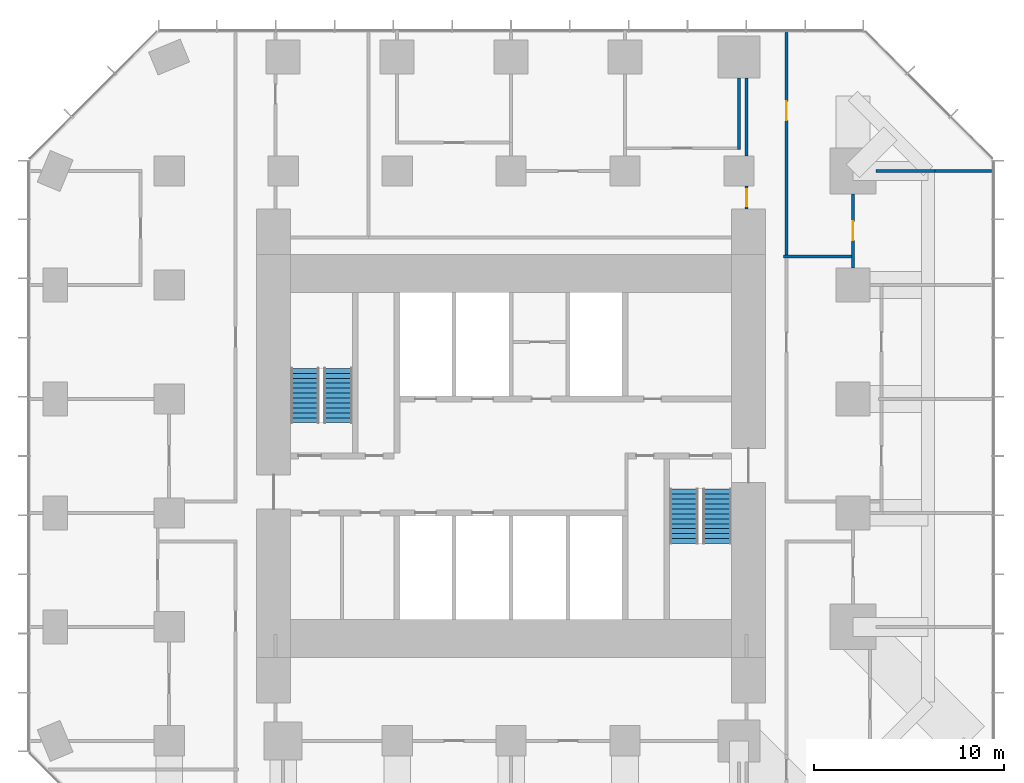
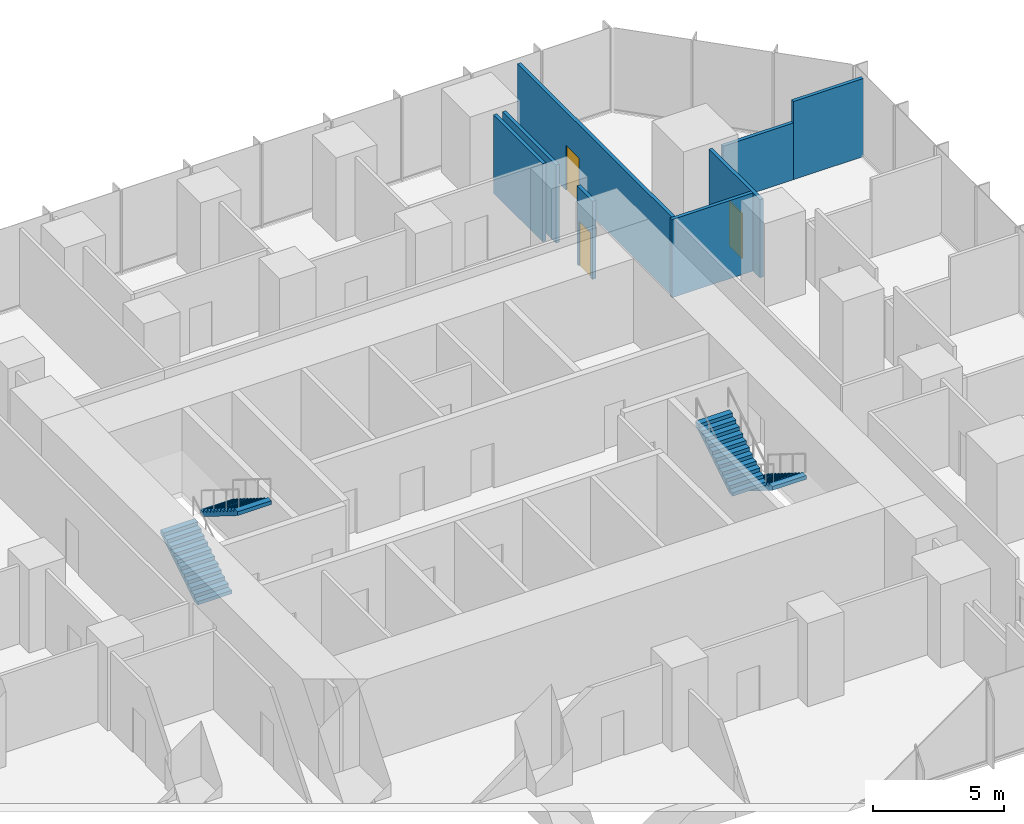
# One storey, part 11 of 12: 8 walls, 4 stair flights, 3 doors, 3 openings, 2 elements without a shape of their own.
"""IFC4 building model written with IfcOpenShell, lengths in metres."""

import ifcopenshell
import ifcopenshell.guid

model = None  # the IFC model being written
_history = None  # IfcOwnerHistory: only IFC2X3 demands one
_inside = {}  # id of a spatial element -> (the spatial element, [elements in it])
_under = {}  # id of a project, library or spatial element -> (it, [spatial elements below it])
_declared = {}  # id of a project -> (the project, [libraries it declares])
_typed = {}  # id of a type object -> (the type object, [elements of that type])
_made_of = {}  # id of a material, layer set ... -> (it, [elements and type objects made of it])


def new_model(schema):
    """Start an empty IFC model of exactly this schema.

    Asked for "IFC4X3", IfcOpenShell would pick the latest addendum, in which some entities
    have other attributes; the version numbers below select the first issue.
    IFC2X3 requires an IfcOwnerHistory on every rooted entity: one is made here for all.
    """
    global model, _history
    if schema == "IFC4X3":
        model = ifcopenshell.file(schema_version=(4, 3, 0, 0))
    else:
        model = ifcopenshell.file(schema=schema)
    _inside.clear()
    _under.clear()
    _declared.clear()
    _typed.clear()
    _made_of.clear()
    _history = None
    if model.schema == "IFC2X3":
        org = make("IfcOrganization", Name="unknown")
        user = make(
            "IfcPersonAndOrganization",
            ThePerson=make("IfcPerson", FamilyName="unknown"),
            TheOrganization=org,
        )
        app = make(
            "IfcApplication",
            ApplicationDeveloper=org,
            Version="unknown",
            ApplicationFullName="unknown",
            ApplicationIdentifier="unknown",
        )
        _history = make(
            "IfcOwnerHistory",
            OwningUser=user,
            OwningApplication=app,
            ChangeAction="ADDED",
            CreationDate=0,
        )
    return model


def make(cls, **values):
    """One entity of the class cls with the attributes given. An attribute that is None is left unset."""
    return model.create_entity(
        cls, **{name: value for name, value in values.items() if value is not None}
    )


def rooted(cls, **values):
    """An entity with a GlobalId (a new one), such as an element, a storey or a relation."""
    return make(cls, GlobalId=ifcopenshell.guid.new(), OwnerHistory=_history, **values)


def si_unit(unit_type, name, prefix=None):
    """IfcSIUnit, for example si_unit("LENGTHUNIT", "METRE", prefix="MILLI")."""
    return make("IfcSIUnit", UnitType=unit_type, Prefix=prefix, Name=name)


def assignment(units):
    """IfcUnitAssignment: the units of a project."""
    return None if units is None else make("IfcUnitAssignment", Units=units)


def point(xyz):
    """IfcCartesianPoint."""
    return None if xyz is None else make("IfcCartesianPoint", Coordinates=xyz)


def direction(xyz):
    """IfcDirection."""
    return None if xyz is None else make("IfcDirection", DirectionRatios=xyz)


def frame(location, z_axis=None, x_axis=None):
    """IfcAxis2Placement3D, a coordinate frame: its origin and axes. An axis left out is left unset."""
    return make(
        "IfcAxis2Placement3D",
        Location=point(location),
        Axis=direction(z_axis),
        RefDirection=direction(x_axis),
    )


def frame_2d(location, x_axis=None):
    """IfcAxis2Placement2D, a coordinate frame in the plane: its origin and x axis."""
    return make(
        "IfcAxis2Placement2D", Location=point(location), RefDirection=direction(x_axis)
    )


def origin():
    """The frame at (0, 0, 0) with its axes left unset."""
    return frame((0.0, 0.0, 0.0))


def place(relative_to, where):
    """IfcLocalPlacement: puts the frame where relative to a parent placement (None: the world)."""
    return make(
        "IfcLocalPlacement", PlacementRelTo=relative_to, RelativePlacement=where
    )


def context(
    kind, dimensions, precision=None, world=None, true_north=None, identifier=None
):
    """IfcGeometricRepresentationContext, for example the 3D "Model" context."""
    return make(
        "IfcGeometricRepresentationContext",
        ContextIdentifier=identifier,
        ContextType=kind,
        CoordinateSpaceDimension=dimensions,
        Precision=precision,
        WorldCoordinateSystem=world,
        TrueNorth=true_north,
    )


def subcontext(parent, identifier, kind, view, scale=None):
    """IfcGeometricRepresentationSubContext, for example "Body" below "Model"."""
    return make(
        "IfcGeometricRepresentationSubContext",
        ContextIdentifier=identifier,
        ContextType=kind,
        ParentContext=parent,
        TargetScale=scale,
        TargetView=view,
    )


def project(units=None, contexts=None):
    """IfcProject with its units and contexts."""
    return rooted(
        "IfcProject",
        Name="project",
        RepresentationContexts=contexts,
        UnitsInContext=assignment(units),
    )


def spatial(cls, under=None, at=None, **own):
    """A site, building, storey or space (cls), placed at a placement, below another one or the project."""
    s = rooted(cls, ObjectPlacement=at, **own)
    if under is not None:
        _under.setdefault(under.id(), (under, []))[1].append(s)
    return s


def polyline(points):
    """IfcPolyline through the points."""
    return make("IfcPolyline", Points=[point(p) for p in points])


def profile(cls, at=None, kind="AREA", **sizes):
    """A parametric profile (cls). Its sizes go by their IFC names, for example OverallWidth=200.0."""
    return make(cls, ProfileType=kind, Position=at, **sizes)


def rectangle(**sizes):
    """IfcRectangleProfileDef."""
    return profile("IfcRectangleProfileDef", **sizes)


def outline(outer, holes=None, kind="AREA"):
    """IfcArbitraryClosedProfileDef: a profile drawn as a closed curve; with holes, ...WithVoids."""
    if holes is None:
        return make("IfcArbitraryClosedProfileDef", ProfileType=kind, OuterCurve=outer)
    return make(
        "IfcArbitraryProfileDefWithVoids",
        ProfileType=kind,
        OuterCurve=outer,
        InnerCurves=holes,
    )


def extrude(swept, where, along, depth):
    """IfcExtrudedAreaSolid: the profile swept, set in the frame where, extruded along a direction by depth."""
    return make(
        "IfcExtrudedAreaSolid",
        SweptArea=swept,
        Position=where,
        ExtrudedDirection=direction(along),
        Depth=depth,
    )


def shape(context_of_items, identifier, shape_type, items):
    """IfcShapeRepresentation: the items that make up one representation, for example the "Body"."""
    return make(
        "IfcShapeRepresentation",
        ContextOfItems=context_of_items,
        RepresentationIdentifier=identifier,
        RepresentationType=shape_type,
        Items=items,
    )


def material(Name=None, Category=None):
    """IfcMaterial."""
    return make("IfcMaterial", Name=Name, Category=Category)


def layer(
    of_material, thickness, ventilated=None, Name=None, Category=None, Priority=None
):
    """IfcMaterialLayer: one layer of a wall or slab, of a material (None: an air gap)."""
    return make(
        "IfcMaterialLayer",
        Material=of_material,
        LayerThickness=thickness,
        IsVentilated=ventilated,
        Name=Name,
        Category=Category,
        Priority=Priority,
    )


def layer_set(layers, Name=None):
    """IfcMaterialLayerSet."""
    return make("IfcMaterialLayerSet", MaterialLayers=layers, LayerSetName=Name)


def made_of(thing, what):
    """Note that an element or type object is made of a material, layer set ...; save() writes the relation."""
    if what is not None:
        _made_of.setdefault(what.id(), (what, []))[1].append(thing)
    return thing


def type_object(cls, material=None, **own):
    """A type object (cls), such as IfcWallType, which elements share."""
    return made_of(rooted(cls, **own), material)


def element(
    cls,
    number,
    at=None,
    inside=None,
    cuts=None,
    type_object=None,
    material=None,
    context=None,
    identifier="Body",
    shape_type=None,
    held_by="IfcProductDefinitionShape",
    body=None,
    shapes=None,
    **own,
):
    """One element of the class cls, such as IfcWall. Its Tag is "e" and its number.

    at: its placement. inside: the storey or other place that contains it. cuts: it is an
    opening in that element (IfcRelVoidsElement). A single representation is given by context,
    identifier, shape_type and body (its items); several are given by shapes. held_by: the class
    of the entity that holds the representations. save() writes the other relations.
    """
    e = rooted(cls, Tag="e%d" % number, ObjectPlacement=at, **own)
    if body is not None:
        shapes = [shape(context, identifier, shape_type, body)]
    if shapes is not None:
        e.Representation = make(held_by, Representations=shapes)
    if inside is not None:
        _inside.setdefault(inside.id(), (inside, []))[1].append(e)
    if cuts is not None:
        rooted(
            "IfcRelVoidsElement", RelatingBuildingElement=cuts, RelatedOpeningElement=e
        )
    if type_object is not None:
        _typed.setdefault(type_object.id(), (type_object, []))[1].append(e)
    return made_of(e, material)


def fill(opening, filler):
    """IfcRelFillsElement: the door or window that sits in an opening."""
    return rooted(
        "IfcRelFillsElement",
        RelatingOpeningElement=opening,
        RelatedBuildingElement=filler,
    )


def aggregate(whole, parts):
    """IfcRelAggregates: a whole, such as a stair, and the parts it consists of."""
    return rooted("IfcRelAggregates", RelatingObject=whole, RelatedObjects=parts)


def save(model, path):
    """Write the relations noted so far, then the file.

    IfcRelAggregates (storeys below a building ...), IfcRelContainedInSpatialStructure (elements
    in a storey), IfcRelDefinesByType, IfcRelAssociatesMaterial and IfcRelDeclares: one each for
    every whole, place, type object, material and project.
    """
    for whole, parts in _under.values():
        aggregate(whole, parts)
    for where, things in _inside.values():
        rooted(
            "IfcRelContainedInSpatialStructure",
            RelatedElements=things,
            RelatingStructure=where,
        )
    for kind, things in _typed.values():
        rooted("IfcRelDefinesByType", RelatedObjects=things, RelatingType=kind)
    for what, things in _made_of.values():
        rooted("IfcRelAssociatesMaterial", RelatedObjects=things, RelatingMaterial=what)
    for by, libraries in _declared.values():
        rooted("IfcRelDeclares", RelatingContext=by, RelatedDefinitions=libraries)
    model.write(path)


model = new_model("IFC4")

# Units and contexts
model_context = context("Model", 3, precision=1e-05, world=origin(), true_north=direction((0.0, 1.0)))
body_context = subcontext(model_context, "Body", "Model", "MODEL_VIEW")
ifc_project = project(units=[si_unit("LENGTHUNIT", "METRE"), si_unit("AREAUNIT", "SQUARE_METRE"), si_unit("VOLUMEUNIT", "CUBIC_METRE"), si_unit("PLANEANGLEUNIT", "RADIAN"), si_unit("MASSUNIT", "GRAM", prefix="KILO")], contexts=[model_context])

# Site, building, storey
site_placement = place(None, origin())
site = spatial("IfcSite", under=ifc_project, at=site_placement, CompositionType="ELEMENT")
building_placement = place(site_placement, origin())
building = spatial("IfcBuilding", under=site, at=building_placement, Name="Highveld Stack Headquarters", CompositionType="ELEMENT")
storey_placement = place(building_placement, frame((0.0, 0.0, 156.199951171875)))
storey = spatial("IfcBuildingStorey", under=building, at=storey_placement, Name="L38", CompositionType="ELEMENT", Elevation=156.199951171875)

# Walls
ifc_material_1 = material(Name="Gypsum plasterboard on steel studs", Category="steel")
ifc_layer = layer(ifc_material_1, 0.14990234375)
ifc_layer_set = layer_set([ifc_layer], Name="Gypsum plasterboard on steel studs")
wall_type = type_object("IfcWallType", Name="PARTITION 150 PLASTERBOARD", PredefinedType="PARTITIONING", material=ifc_layer_set)
wall_1_placement = place(storey_placement, frame((25.199951171875, 18.0, 0.0), z_axis=(0.0, 0.0, 1.0), x_axis=(1.0, 0.0, 0.0)))
element("IfcWall", 1, at=wall_1_placement, inside=storey, type_object=wall_type, Name="Partition Office L38", PredefinedType="PARTITIONING", context=body_context, shape_type="SweptSolid", body=[
    extrude(rectangle(XDim=3.110107421875, YDim=0.14990234375, at=frame_2d((1.55517578125, 0.0))), origin(), (0.0, 0.0, 1.0), 2.650146484375),
])
wall_2_placement = place(storey_placement, frame((28.31005859375, 18.0, 0.0), z_axis=(0.0, 0.0, 1.0), x_axis=(1.0, 0.0, 0.0)))
element("IfcWall", 2, at=wall_2_placement, inside=storey, type_object=wall_type, Name="Partition Office L38", PredefinedType="PARTITIONING", context=body_context, shape_type="SweptSolid", body=[
    extrude(rectangle(XDim=3.08984375, YDim=0.14990234375, at=frame_2d((1.544921875, 0.0))), origin(), (0.0, 0.0, 1.0), 3.650146484375),
])
wall_3_placement = place(storey_placement, frame((18.0, 19.125, 0.0), z_axis=(0.0, 0.0, 1.0), x_axis=(0.0, 1.0, 0.0)))
element("IfcWall", 3, at=wall_3_placement, inside=storey, type_object=wall_type, Name="Partition Tea kitchen L38", PredefinedType="PARTITIONING", context=body_context, shape_type="SweptSolid", body=[
    extrude(rectangle(XDim=3.77490234375, YDim=0.14990234375, at=frame_2d((1.887451171875, 0.0))), origin(), (0.0, 0.0, 1.0), 3.650146484375),
])

# Wall, opening, door
wall_4_placement = place(storey_placement, frame((24.0, 12.89990234375, 0.0), z_axis=(0.0, 0.0, 1.0), x_axis=(0.0, 1.0, 0.0)))
wall_4 = element("IfcWall", 4, at=wall_4_placement, inside=storey, type_object=wall_type, Name="Partition Office L38", PredefinedType="PARTITIONING", context=body_context, shape_type="SweptSolid", body=[
    extrude(rectangle(XDim=3.900146484375, YDim=0.14990234375, at=frame_2d((1.9501953125, 0.0))), origin(), (0.0, 0.0, 1.0), 3.650146484375),
])
opening_1_placement = place(wall_4_placement, frame((1.449951171875, 0.0, 0.0)))
opening_1 = element("IfcOpeningElement", 5, at=opening_1_placement, cuts=wall_4, Name="Opening L38-22", PredefinedType="OPENING", context=body_context, shape_type="SweptSolid", body=[
    extrude(rectangle(XDim=1.0, YDim=2.10009765625, at=frame_2d((0.5, 1.050048828125))), frame((0.0, 0.0849609375, 0.0), z_axis=(0.0, -1.0, 0.0), x_axis=(1.0, 0.0, 0.0)), (0.0, 0.0, 1.0), 0.169921875),
])
ifc_material_2 = material(Name="Timber door, oiled ash", Category="wood")
door_type_1 = type_object("IfcDoorType", Name="ROOM DOOR D6 1000x2100", OperationType="SINGLE_SWING_LEFT", PredefinedType="DOOR", material=ifc_material_2)
door_1_placement = place(opening_1_placement, origin())
door_1 = element("IfcDoor", 6, at=door_1_placement, inside=storey, type_object=door_type_1, Name="Office door 1 L38", OperationType="SINGLE_SWING_RIGHT", OverallHeight=2.10009765625, OverallWidth=1.0, PredefinedType="DOOR", context=body_context, shape_type="SweptSolid", body=[
    extrude(rectangle(XDim=1.0, YDim=2.10009765625, at=frame_2d((0.5, 1.050048828125))), frame((0.0, 0.02490234375, 0.0), z_axis=(0.0, -1.0, 0.0), x_axis=(1.0, 0.0, 0.0)), (0.0, 0.0, 1.0), 0.050048828125),
])
fill(opening_1, door_1)

wall_5_placement = place(storey_placement, frame((18.39990234375, 16.0, 0.0), z_axis=(0.0, 0.0, 1.0), x_axis=(0.0, 1.0, 0.0)))
wall_5 = element("IfcWall", 7, at=wall_5_placement, inside=storey, type_object=wall_type, Name="Partition office neighbourhood L38", PredefinedType="PARTITIONING", context=body_context, shape_type="SweptSolid", body=[
    extrude(rectangle(XDim=1.199951171875, YDim=0.14990234375, at=frame_2d((0.60009765625, 0.0))), origin(), (0.0, 0.0, 1.0), 3.650146484375),
])
opening_2_placement = place(wall_5_placement, frame((0.14990234375, 0.0, 0.0)))
opening_2 = element("IfcOpeningElement", 8, at=opening_2_placement, cuts=wall_5, Name="Opening L38-33", PredefinedType="OPENING", context=body_context, shape_type="SweptSolid", body=[
    extrude(rectangle(XDim=0.89990234375, YDim=2.10009765625, at=frame_2d((0.449951171875, 1.050048828125))), frame((0.0, 0.0849609375, 0.0), z_axis=(0.0, -1.0, 0.0), x_axis=(1.0, 0.0, 0.0)), (0.0, 0.0, 1.0), 0.169921875),
])
ifc_material_3 = material(Name="Timber door, oiled ash", Category="wood")
door_type_2 = type_object("IfcDoorType", Name="ROOM DOOR D15 900x2100", OperationType="SINGLE_SWING_LEFT", PredefinedType="DOOR", material=ifc_material_3)
door_2_placement = place(opening_2_placement, origin())
door_2 = element("IfcDoor", 9, at=door_2_placement, inside=storey, type_object=door_type_2, Name="Office neighbourhood door L38", OperationType="SINGLE_SWING_RIGHT", OverallHeight=2.10009765625, OverallWidth=0.89990234375, PredefinedType="DOOR", context=body_context, shape_type="SweptSolid", body=[
    extrude(rectangle(XDim=0.89990234375, YDim=2.10009765625, at=frame_2d((0.449951171875, 1.050048828125))), frame((0.0, 0.02490234375, 0.0), z_axis=(0.0, -1.0, 0.0), x_axis=(1.0, 0.0, 0.0)), (0.0, 0.0, 1.0), 0.050048828125),
])
fill(opening_2, door_2)

# Wall
wall_6_placement = place(storey_placement, frame((18.39990234375, 18.800048828125, 0.0), z_axis=(0.0, 0.0, 1.0), x_axis=(0.0, 1.0, 0.0)))
element("IfcWall", 10, at=wall_6_placement, inside=storey, type_object=wall_type, Name="Partition office neighbourhood L38", PredefinedType="PARTITIONING", context=body_context, shape_type="SweptSolid", body=[
    extrude(rectangle(XDim=4.099853515625, YDim=0.14990234375, at=frame_2d((2.0498046875, 0.0))), origin(), (0.0, 0.0, 1.0), 3.650146484375),
])

# Wall, opening, door
wall_7_placement = place(storey_placement, frame((20.5, 13.574951171875, 0.0), z_axis=(0.0, 0.0, 1.0), x_axis=(0.0, 1.0, 0.0)))
wall_7 = element("IfcWall", 11, at=wall_7_placement, inside=storey, type_object=wall_type, Name="Partition office neighbourhood L38", PredefinedType="PARTITIONING", context=body_context, shape_type="SweptSolid", body=[
    extrude(rectangle(XDim=11.824951171875, YDim=0.14990234375, at=frame_2d((5.91259765625, 0.0))), origin(), (0.0, 0.0, 1.0), 3.650146484375),
])
opening_3_placement = place(wall_7_placement, frame((7.094970703125, 0.0, 0.0)))
opening_3 = element("IfcOpeningElement", 12, at=opening_3_placement, cuts=wall_7, Name="Opening L38-31", PredefinedType="OPENING", context=body_context, shape_type="SweptSolid", body=[
    extrude(rectangle(XDim=1.0, YDim=2.10009765625, at=frame_2d((0.5, 1.050048828125))), frame((0.0, 0.0849609375, 0.0), z_axis=(0.0, -1.0, 0.0), x_axis=(1.0, 0.0, 0.0)), (0.0, 0.0, 1.0), 0.169921875),
])
door_3_placement = place(opening_3_placement, origin())
door_3 = element("IfcDoor", 13, at=door_3_placement, inside=storey, type_object=door_type_1, Name="Office neighbourhood door L38", OperationType="SINGLE_SWING_RIGHT", OverallHeight=2.10009765625, OverallWidth=1.0, PredefinedType="DOOR", context=body_context, shape_type="SweptSolid", body=[
    extrude(rectangle(XDim=1.0, YDim=2.10009765625, at=frame_2d((0.5, 1.050048828125))), frame((0.0, 0.02490234375, 0.0), z_axis=(0.0, -1.0, 0.0), x_axis=(1.0, 0.0, 0.0)), (0.0, 0.0, 1.0), 0.050048828125),
])
fill(opening_3, door_3)

# Wall
wall_8_placement = place(storey_placement, frame((20.35009765625, 13.5, 0.0), z_axis=(0.0, 0.0, 1.0), x_axis=(1.0, 0.0, 0.0)))
element("IfcWall", 14, at=wall_8_placement, inside=storey, type_object=wall_type, Name="Partition office neighbourhood L38", PredefinedType="PARTITIONING", context=body_context, shape_type="SweptSolid", body=[
    extrude(rectangle(XDim=3.574951171875, YDim=0.14990234375, at=frame_2d((1.78759765625, 0.0))), origin(), (0.0, 0.0, 1.0), 3.650146484375),
])

# Stair, stair flights
ifc_material_4 = material(Name="Concrete C40/50, precast", Category="concrete")
stair_type_1 = type_object("IfcStairType", Name="STAIR S1 HALF TURN 1500", PredefinedType="HALF_TURN_STAIR", material=ifc_material_4)
stair_1_placement = place(storey_placement, origin())
stair_1 = element("IfcStair", 15, at=stair_1_placement, inside=storey, type_object=stair_type_1, Name="Stair S1 L38", PredefinedType="HALF_TURN_STAIR")
ifc_material_5 = material(Name="Concrete C40/50, precast", Category="concrete")
stair_flight_type = type_object("IfcStairFlightType", Name="STAIR FLIGHT 1500 PRECAST", PredefinedType="STRAIGHT", material=ifc_material_5)
stair_flight_1_placement = place(storey_placement, frame((-4.85009765625, 4.75, 0.0), z_axis=(0.0, 0.0, 1.0), x_axis=(0.0, 1.0, 0.0)))
stair_flight_1 = element("IfcStairFlight", 16, at=stair_flight_1_placement, type_object=stair_flight_type, Name="S1 flight 1", NumberOfRisers=12, NumberOfTreads=11, PredefinedType="STRAIGHT", RiserHeight=0.1625, TreadLength=0.26, context=body_context, shape_type="SweptSolid", body=[
    extrude(outline(polyline([(0.0, 0.0), (0.0, 0.16259765625), (0.260009765625, 0.16259765625), (0.260009765625, 0.324951171875), (0.52001953125, 0.324951171875), (0.52001953125, 0.487548828125), (0.780029296875, 0.487548828125), (0.780029296875, 0.64990234375), (1.0400390625, 0.64990234375), (1.0400390625, 0.8125), (1.300048828125, 0.8125), (1.300048828125, 0.97509765625), (1.56005859375, 0.97509765625), (1.56005859375, 1.137451171875), (1.820068359375, 1.137451171875), (1.820068359375, 1.300048828125), (2.080078125, 1.300048828125), (2.080078125, 1.46240234375), (2.340087890625, 1.46240234375), (2.340087890625, 1.625), (2.60009765625, 1.625), (2.60009765625, 1.78759765625), (2.860107421875, 1.78759765625), (2.860107421875, 1.949951171875), (2.860107421875, 1.61083984375), (0.28271484375, 0.0), (0.0, 0.0)])), frame((0.0, 0.75, 0.0), z_axis=(0.0, -1.0, 0.0), x_axis=(1.0, 0.0, 0.0)), (0.0, 0.0, 1.0), 1.5),
])
stair_flight_2_placement = place(storey_placement, frame((-3.10009765625, 7.610107421875, 1.949951171875), z_axis=(0.0, 0.0, 1.0), x_axis=(0.0, -1.0, 0.0)))
stair_flight_2 = element("IfcStairFlight", 17, at=stair_flight_2_placement, type_object=stair_flight_type, Name="S1 flight 2", NumberOfRisers=12, NumberOfTreads=11, PredefinedType="STRAIGHT", RiserHeight=0.1625, TreadLength=0.26, context=body_context, shape_type="SweptSolid", body=[
    extrude(outline(polyline([(0.0, 0.0), (0.0, 0.16259765625), (0.260009765625, 0.16259765625), (0.260009765625, 0.324951171875), (0.52001953125, 0.324951171875), (0.52001953125, 0.487548828125), (0.780029296875, 0.487548828125), (0.780029296875, 0.64990234375), (1.0400390625, 0.64990234375), (1.0400390625, 0.8125), (1.300048828125, 0.8125), (1.300048828125, 0.97509765625), (1.56005859375, 0.97509765625), (1.56005859375, 1.137451171875), (1.820068359375, 1.137451171875), (1.820068359375, 1.300048828125), (2.080078125, 1.300048828125), (2.080078125, 1.46240234375), (2.340087890625, 1.46240234375), (2.340087890625, 1.625), (2.60009765625, 1.625), (2.60009765625, 1.78759765625), (2.860107421875, 1.78759765625), (2.860107421875, 1.949951171875), (2.860107421875, 1.61083984375), (0.28271484375, 0.0), (0.0, 0.0)])), frame((0.0, 0.75, 0.0), z_axis=(0.0, -1.0, 0.0), x_axis=(1.0, 0.0, 0.0)), (0.0, 0.0, 1.0), 1.5),
])
aggregate(stair_1, [stair_flight_1, stair_flight_2])

ifc_material_6 = material(Name="Concrete C40/50, precast", Category="concrete")
stair_type_2 = type_object("IfcStairType", Name="STAIR S2 HALF TURN 1500", PredefinedType="HALF_TURN_STAIR", material=ifc_material_6)
stair_2_placement = place(storey_placement, origin())
stair_2 = element("IfcStair", 18, at=stair_2_placement, inside=storey, type_object=stair_type_2, Name="Stair S2 L38", PredefinedType="HALF_TURN_STAIR")
stair_flight_3_placement = place(storey_placement, frame((16.85009765625, 1.25, 0.0), z_axis=(0.0, 0.0, 1.0), x_axis=(0.0, -1.0, 0.0)))
stair_flight_3 = element("IfcStairFlight", 19, at=stair_flight_3_placement, type_object=stair_flight_type, Name="S2 flight 1", NumberOfRisers=12, NumberOfTreads=11, PredefinedType="STRAIGHT", RiserHeight=0.1625, TreadLength=0.26, context=body_context, shape_type="SweptSolid", body=[
    extrude(outline(polyline([(0.0, 0.0), (0.0, 0.16259765625), (0.260009765625, 0.16259765625), (0.260009765625, 0.324951171875), (0.52001953125, 0.324951171875), (0.52001953125, 0.487548828125), (0.780029296875, 0.487548828125), (0.780029296875, 0.64990234375), (1.0400390625, 0.64990234375), (1.0400390625, 0.8125), (1.300048828125, 0.8125), (1.300048828125, 0.97509765625), (1.56005859375, 0.97509765625), (1.56005859375, 1.137451171875), (1.820068359375, 1.137451171875), (1.820068359375, 1.300048828125), (2.080078125, 1.300048828125), (2.080078125, 1.46240234375), (2.340087890625, 1.46240234375), (2.340087890625, 1.625), (2.60009765625, 1.625), (2.60009765625, 1.78759765625), (2.860107421875, 1.78759765625), (2.860107421875, 1.949951171875), (2.860107421875, 1.61083984375), (0.28271484375, 0.0), (0.0, 0.0)])), frame((0.0, 0.75, 0.0), z_axis=(0.0, -1.0, 0.0), x_axis=(1.0, 0.0, 0.0)), (0.0, 0.0, 1.0), 1.5),
])
stair_flight_4_placement = place(storey_placement, frame((15.10009765625, -1.610107421875, 1.949951171875), z_axis=(0.0, 0.0, 1.0), x_axis=(0.0, 1.0, 0.0)))
stair_flight_4 = element("IfcStairFlight", 20, at=stair_flight_4_placement, type_object=stair_flight_type, Name="S2 flight 2", NumberOfRisers=12, NumberOfTreads=11, PredefinedType="STRAIGHT", RiserHeight=0.1625, TreadLength=0.26, context=body_context, shape_type="SweptSolid", body=[
    extrude(outline(polyline([(0.0, 0.0), (0.0, 0.16259765625), (0.260009765625, 0.16259765625), (0.260009765625, 0.324951171875), (0.52001953125, 0.324951171875), (0.52001953125, 0.487548828125), (0.780029296875, 0.487548828125), (0.780029296875, 0.64990234375), (1.0400390625, 0.64990234375), (1.0400390625, 0.8125), (1.300048828125, 0.8125), (1.300048828125, 0.97509765625), (1.56005859375, 0.97509765625), (1.56005859375, 1.137451171875), (1.820068359375, 1.137451171875), (1.820068359375, 1.300048828125), (2.080078125, 1.300048828125), (2.080078125, 1.46240234375), (2.340087890625, 1.46240234375), (2.340087890625, 1.625), (2.60009765625, 1.625), (2.60009765625, 1.78759765625), (2.860107421875, 1.78759765625), (2.860107421875, 1.949951171875), (2.860107421875, 1.61083984375), (0.28271484375, 0.0), (0.0, 0.0)])), frame((0.0, 0.75, 0.0), z_axis=(0.0, -1.0, 0.0), x_axis=(1.0, 0.0, 0.0)), (0.0, 0.0, 1.0), 1.5),
])
aggregate(stair_2, [stair_flight_3, stair_flight_4])

save(model, "model.ifc")
